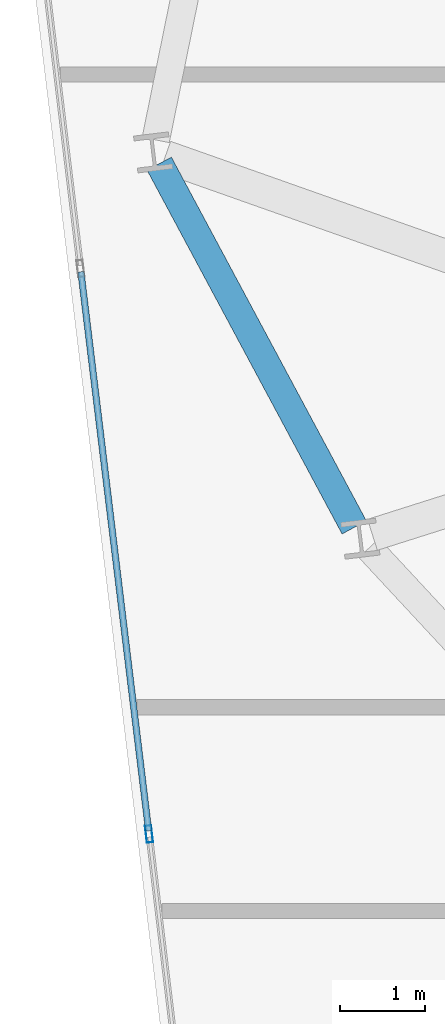
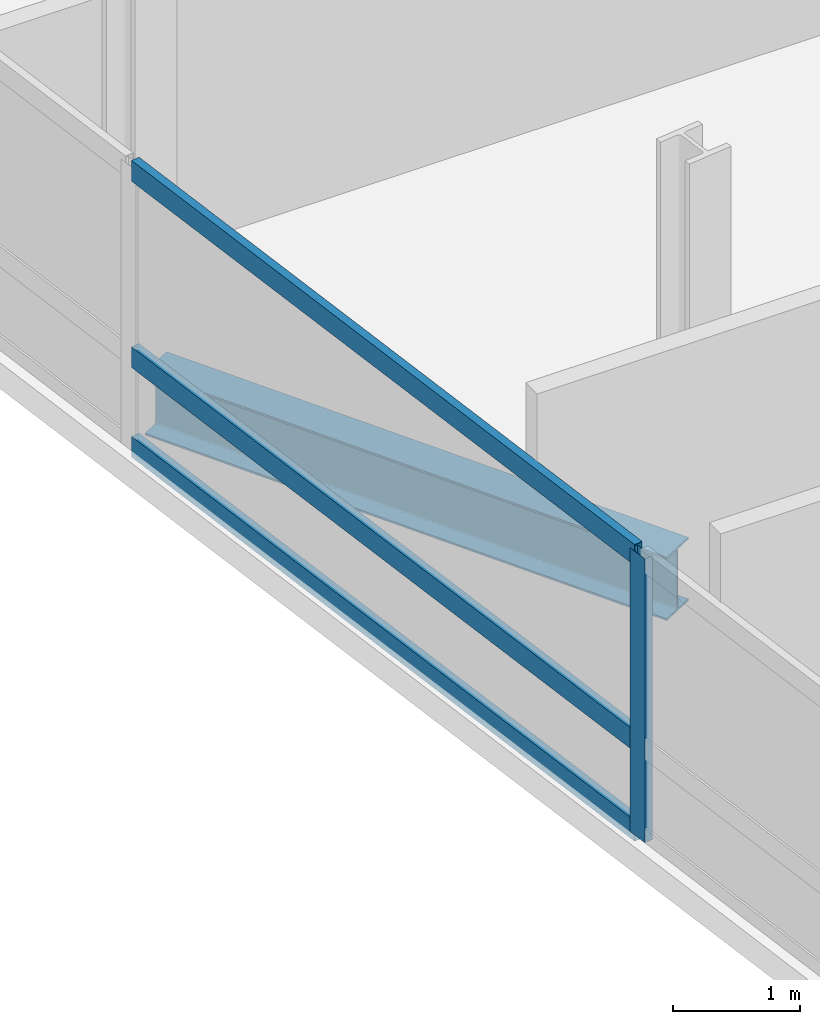
# One storey, part 4 of 23: 4 members, 1 beam, 1 element without a shape of its own.
"""IFC4 building model written with IfcOpenShell, lengths in metres."""

from ifc_helpers import new_model, si_unit, direction, frame, origin, origin_2d, place, context, subcontext, project, spatial, hollow_rectangle, i_section, extrude, material, layer, layer_set, material_profile, profile_set, type_object, element, aggregate, save


model = new_model("IFC4")

# Units and contexts
model_context = context("Model", 3, precision=1e-05, world=origin(), true_north=direction((0.0, 1.0)))
body_context = subcontext(model_context, "Body", "Model", "MODEL_VIEW")
ifc_project = project(units=[si_unit("LENGTHUNIT", "METRE"), si_unit("AREAUNIT", "SQUARE_METRE"), si_unit("VOLUMEUNIT", "CUBIC_METRE"), si_unit("PLANEANGLEUNIT", "RADIAN"), si_unit("MASSUNIT", "GRAM", prefix="KILO")], contexts=[model_context])

# Site, building, storey
site_placement = place(None, origin())
site = spatial("IfcSite", under=ifc_project, at=site_placement, CompositionType="ELEMENT")
building_placement = place(site_placement, origin())
building = spatial("IfcBuilding", under=site, at=building_placement, Name="Varnelok Gate Tower", CompositionType="ELEMENT")
storey_placement = place(building_placement, frame((0.0, 0.0, 189.39990234375)))
storey = spatial("IfcBuildingStorey", under=building, at=storey_placement, Name="L48", CompositionType="ELEMENT", Elevation=189.39990234375)

# Beam
ifc_material_1 = material(Name="Structural Steel ASTM A992 Grade 50", Category="steel")
ifc_material_profile_1 = material_profile(ifc_material_1, i_section(OverallWidth=0.323974609375, OverallDepth=0.611083984375, WebThickness=0.0126953125, FlangeThickness=0.01904296875, FilletRadius=0.01806640625, at=origin_2d()), Name="W24X104")
ifc_profile_set_1 = profile_set([ifc_material_profile_1], Name="Structural Steel ASTM A992 Grade 50")
beam_type = type_object("IfcBeamType", Name="BM-SPN-W24X104", PredefinedType="SPANDREL", material=ifc_profile_set_1)
beam_placement = place(storey_placement, frame((4.816650390625, 25.61474609375, -0.555419921875), z_axis=(0.472471917257, -0.881345725242, 0.0), x_axis=(0.881345725242, 0.472471917257, 0.0)))
element("IfcBeam", 1, at=beam_placement, inside=storey, type_object=beam_type, Name="L48 Perimeter Spandrel Beam 15", PredefinedType="SPANDREL", context=body_context, shape_type="SweptSolid", body=[
    extrude(i_section(OverallWidth=0.323974609375, OverallDepth=0.611083984375, WebThickness=0.0126953125, FlangeThickness=0.01904296875, FilletRadius=0.01806640625, at=origin_2d()), origin(), (0.0, 0.0, 1.0), 4.8408203125),
])

# Curtain wall, members
ifc_material_2 = material(Name="Anodized Aluminum Alloy 6063-T6", Category="aluminium")
ifc_layer = layer(ifc_material_2, 0.179931640625)
ifc_layer_set = layer_set([ifc_layer], Name="Anodized Aluminum Alloy 6063-T6")
curtain_wall_type = type_object("IfcCurtainWallType", Name="CW4-RESIDENCE-VISION", PredefinedType="USERDEFINED", material=ifc_layer_set)
curtain_wall_placement = place(storey_placement, origin())
curtain_wall = element("IfcCurtainWall", 2, at=curtain_wall_placement, inside=storey, type_object=curtain_wall_type, Name="L48 West End Vision Curtain Wall", ObjectType="UNITISED CURTAIN WALL", PredefinedType="USERDEFINED")
ifc_material_profile_2 = material_profile(ifc_material_2, hollow_rectangle(XDim=0.074951171875, YDim=0.199951171875, WallThickness=0.00390625, at=origin_2d()), Name="ALU200X75X4")
ifc_profile_set_2 = profile_set([ifc_material_profile_2], Name="Anodized Aluminum Alloy 6063-T6")
member_type_1 = type_object("IfcMemberType", Name="CW-MULL-200", PredefinedType="MULLION", material=ifc_profile_set_2)
member_1_placement = place(storey_placement, frame((4.697509765625, 17.7529296875, 0.0), z_axis=(0.0, 0.0, 1.0), x_axis=(-0.992732188751, -0.120344511371, 0.0)))
member_1 = element("IfcMember", 3, at=member_1_placement, type_object=member_type_1, Name="CW4 mullion 3", PredefinedType="MULLION", context=body_context, shape_type="SweptSolid", body=[
    extrude(hollow_rectangle(XDim=0.074951171875, YDim=0.199951171875, WallThickness=0.00390625, at=origin_2d()), origin(), (0.0, 0.0, 1.0), 2.72998046875),
])
ifc_material_profile_3 = material_profile(ifc_material_2, hollow_rectangle(XDim=0.074951171875, YDim=0.199951171875, WallThickness=0.00390625, at=origin_2d()), Name="ALU200X75X4")
ifc_profile_set_3 = profile_set([ifc_material_profile_3], Name="Anodized Aluminum Alloy 6063-T6")
member_type_2 = type_object("IfcMemberType", Name="CW-TRAN-200", PredefinedType="USERDEFINED", material=ifc_profile_set_3)
member_2_placement = place(storey_placement, frame((4.69287109375, 17.790283203125, 0.03759765625), z_axis=(-0.120317016873, 0.992735521401, 0.0), x_axis=(-0.992735521401, -0.120317016873, 0.0)))
member_2 = element("IfcMember", 4, at=member_2_placement, type_object=member_type_2, Name="CW4 transom 3.1", ObjectType="TRANSOM", PredefinedType="USERDEFINED", context=body_context, shape_type="SweptSolid", body=[
    extrude(hollow_rectangle(XDim=0.074951171875, YDim=0.199951171875, WallThickness=0.00390625, at=origin_2d()), origin(), (0.0, 0.0, 1.0), 6.60498046875),
])
member_3_placement = place(storey_placement, frame((4.69287109375, 17.790283203125, 0.900146484375), z_axis=(-0.120317016873, 0.992735521401, 0.0), x_axis=(-0.992735521401, -0.120317016873, 0.0)))
member_3 = element("IfcMember", 5, at=member_3_placement, type_object=member_type_2, Name="CW4 transom 3.2", ObjectType="TRANSOM", PredefinedType="USERDEFINED", context=body_context, shape_type="SweptSolid", body=[
    extrude(hollow_rectangle(XDim=0.074951171875, YDim=0.199951171875, WallThickness=0.00390625, at=origin_2d()), origin(), (0.0, 0.0, 1.0), 6.60498046875),
])
member_4_placement = place(storey_placement, frame((4.69287109375, 17.790283203125, 2.692626953125), z_axis=(-0.120317016873, 0.992735521401, 0.0), x_axis=(-0.992735521401, -0.120317016873, 0.0)))
member_4 = element("IfcMember", 6, at=member_4_placement, type_object=member_type_2, Name="CW4 transom 3.3", ObjectType="TRANSOM", PredefinedType="USERDEFINED", context=body_context, shape_type="SweptSolid", body=[
    extrude(hollow_rectangle(XDim=0.074951171875, YDim=0.199951171875, WallThickness=0.00390625, at=origin_2d()), origin(), (0.0, 0.0, 1.0), 6.60498046875),
])
aggregate(curtain_wall, [member_1, member_2, member_3, member_4])

save(model, "model.ifc")
